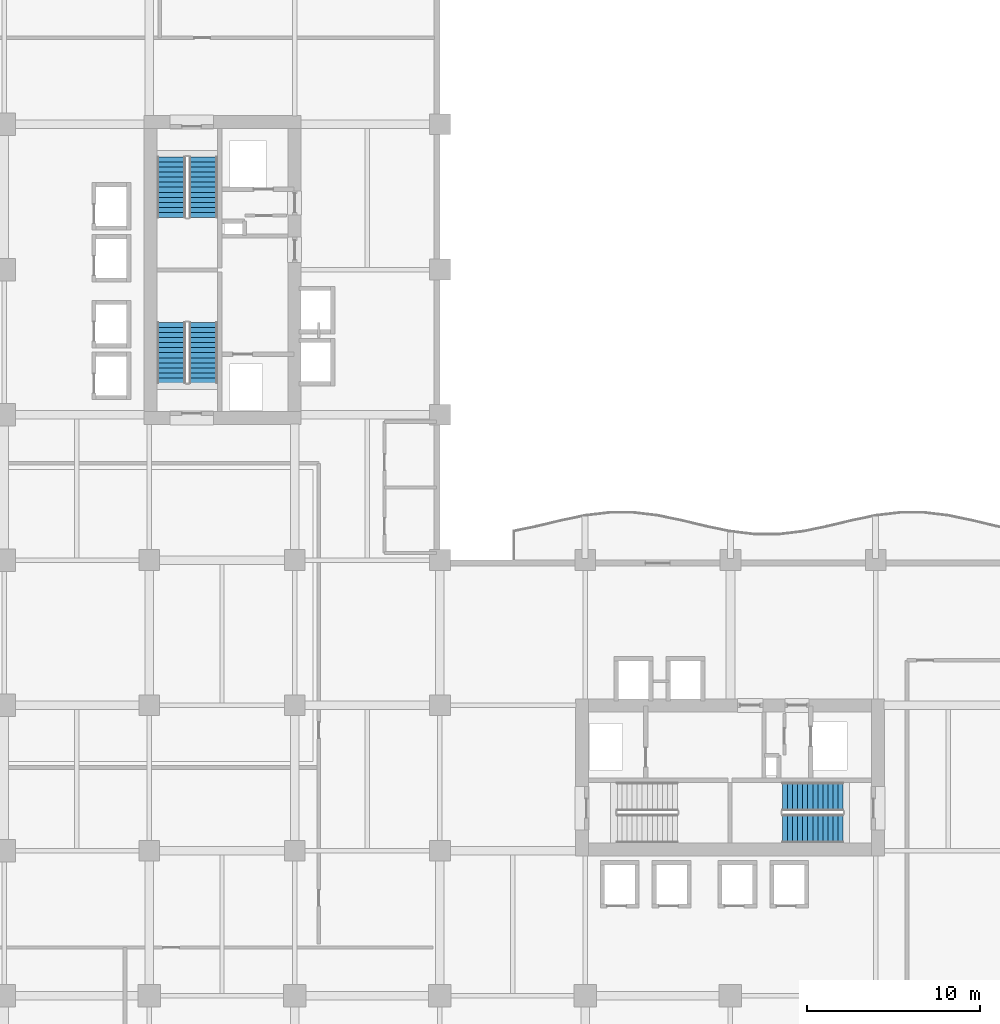
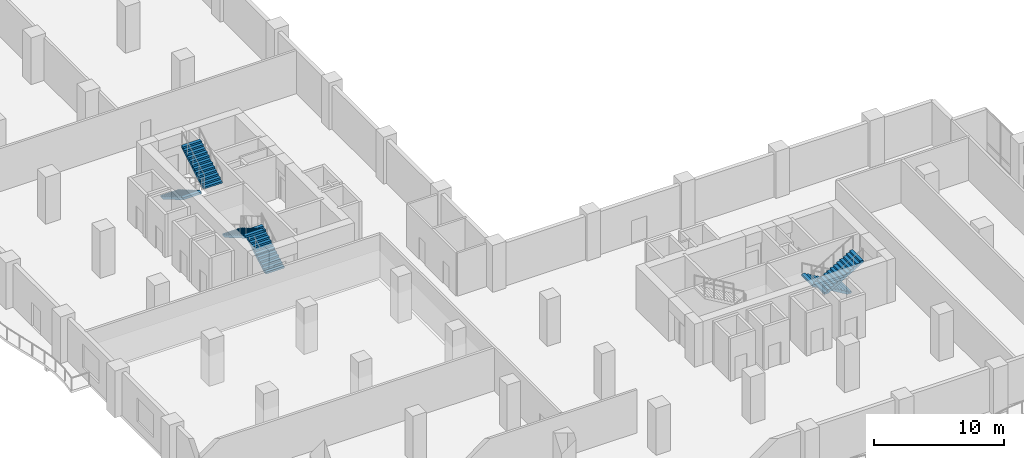
# One storey, part 19 of 24: 6 stair flights, 3 elements without a shape of their own.
"""IFC4 building model written with IfcOpenShell, lengths in metres."""

from ifc_helpers import new_model, si_unit, direction, frame, origin, place, context, subcontext, project, spatial, polyline, outline, extrude, material, type_object, element, aggregate, save


model = new_model("IFC4")

# Units and contexts
model_context = context("Model", 3, precision=1e-05, world=origin(), true_north=direction((0.0, 1.0)))
body_context = subcontext(model_context, "Body", "Model", "MODEL_VIEW")
ifc_project = project(units=[si_unit("LENGTHUNIT", "METRE"), si_unit("AREAUNIT", "SQUARE_METRE"), si_unit("VOLUMEUNIT", "CUBIC_METRE"), si_unit("PLANEANGLEUNIT", "RADIAN"), si_unit("MASSUNIT", "GRAM", prefix="KILO")], contexts=[model_context])

# Site, building, storey
site_placement = place(None, origin())
site = spatial("IfcSite", under=ifc_project, at=site_placement, CompositionType="ELEMENT")
building_placement = place(site_placement, origin())
building = spatial("IfcBuilding", under=site, at=building_placement, Name="Koriwani Terraces Tower", CompositionType="ELEMENT")
storey_placement = place(building_placement, frame((0.0, 0.0, 89.60009765625)))
storey = spatial("IfcBuildingStorey", under=building, at=storey_placement, Name="L21", CompositionType="ELEMENT", Elevation=89.60009765625)

# Stair, stair flights
ifc_material = material(Name="Concrete C40/50", Category="concrete")
stair_type = type_object("IfcStairType", Name="STAIR_CORE_DOGLEG_1650", PredefinedType="TWO_STRAIGHT_RUN_STAIR", material=ifc_material)
stair_1_placement = place(storey_placement, origin())
stair_1 = element("IfcStair", 1, at=stair_1_placement, inside=storey, type_object=stair_type, Name="L21 West Core Exit Stair 1", PredefinedType="HALF_TURN_STAIR")
stair_flight_type = type_object("IfcStairFlightType", Name="STAIR_FLIGHT_RC_1650", PredefinedType="STRAIGHT", material=ifc_material)
stair_flight_1_placement = place(storey_placement, frame((19.925048828125, 43.85009765625, 0.0), z_axis=(0.0, 0.0, 1.0), x_axis=(0.0, 1.0, 0.0)))
stair_flight_1 = element("IfcStairFlight", 2, at=stair_flight_1_placement, type_object=stair_flight_type, Name="ST-W1 flight 1", NumberOfRisers=13, NumberOfTreads=12, PredefinedType="STRAIGHT", RiserHeight=0.169230769, TreadLength=0.29, context=body_context, shape_type="SweptSolid", body=[
    extrude(outline(polyline([(0.0, 0.0), (0.0, 0.169189453125), (0.2900390625, 0.169189453125), (0.2900390625, 0.33837890625), (0.580078125, 0.33837890625), (0.580078125, 0.5078125), (0.8701171875, 0.5078125), (0.8701171875, 0.677001953125), (1.159912109375, 0.677001953125), (1.159912109375, 0.84619140625), (1.449951171875, 0.84619140625), (1.449951171875, 1.015380859375), (1.739990234375, 1.015380859375), (1.739990234375, 1.1845703125), (2.030029296875, 1.1845703125), (2.030029296875, 1.353759765625), (2.320068359375, 1.353759765625), (2.320068359375, 1.523193359375), (2.610107421875, 1.523193359375), (2.610107421875, 1.6923828125), (2.89990234375, 1.6923828125), (2.89990234375, 1.861572265625), (3.18994140625, 1.861572265625), (3.18994140625, 2.03076171875), (3.47998046875, 2.03076171875), (3.47998046875, 2.199951171875), (3.47998046875, 1.822509765625), (0.35693359375, 0.0), (0.0, 0.0)])), frame((0.0, 0.824951171875, 0.0), z_axis=(0.0, -1.0, 0.0), x_axis=(1.0, 0.0, 0.0)), (0.0, 0.0, 1.0), 1.64990234375),
])
stair_flight_2_placement = place(storey_placement, frame((18.074951171875, 47.330078125, 2.199951171875), z_axis=(0.0, 0.0, 1.0), x_axis=(0.0, -1.0, 0.0)))
stair_flight_2 = element("IfcStairFlight", 3, at=stair_flight_2_placement, type_object=stair_flight_type, Name="ST-W1 flight 2", NumberOfRisers=13, NumberOfTreads=12, PredefinedType="STRAIGHT", RiserHeight=0.169230769, TreadLength=0.29, context=body_context, shape_type="SweptSolid", body=[
    extrude(outline(polyline([(0.0, 0.0), (0.0, 0.169189453125), (0.2900390625, 0.169189453125), (0.2900390625, 0.33837890625), (0.580078125, 0.33837890625), (0.580078125, 0.5078125), (0.8701171875, 0.5078125), (0.8701171875, 0.677001953125), (1.159912109375, 0.677001953125), (1.159912109375, 0.84619140625), (1.449951171875, 0.84619140625), (1.449951171875, 1.015380859375), (1.739990234375, 1.015380859375), (1.739990234375, 1.1845703125), (2.030029296875, 1.1845703125), (2.030029296875, 1.353759765625), (2.320068359375, 1.353759765625), (2.320068359375, 1.523193359375), (2.610107421875, 1.523193359375), (2.610107421875, 1.6923828125), (2.89990234375, 1.6923828125), (2.89990234375, 1.861572265625), (3.18994140625, 1.861572265625), (3.18994140625, 2.03076171875), (3.47998046875, 2.03076171875), (3.47998046875, 2.199951171875), (3.47998046875, 1.822509765625), (0.35693359375, 0.0), (0.0, 0.0)])), frame((0.0, 0.824951171875, 0.0), z_axis=(0.0, -1.0, 0.0), x_axis=(1.0, 0.0, 0.0)), (0.0, 0.0, 1.0), 1.64990234375),
])
aggregate(stair_1, [stair_flight_1, stair_flight_2])

stair_2_placement = place(storey_placement, origin())
stair_2 = element("IfcStair", 4, at=stair_2_placement, inside=storey, type_object=stair_type, Name="L21 West Core Exit Stair 2", PredefinedType="HALF_TURN_STAIR")
stair_flight_3_placement = place(storey_placement, frame((18.074951171875, 56.89990234375, 0.0), z_axis=(0.0, 0.0, 1.0), x_axis=(0.0, -1.0, 0.0)))
stair_flight_3 = element("IfcStairFlight", 5, at=stair_flight_3_placement, type_object=stair_flight_type, Name="ST-W2 flight 1", NumberOfRisers=13, NumberOfTreads=12, PredefinedType="STRAIGHT", RiserHeight=0.169230769, TreadLength=0.29, context=body_context, shape_type="SweptSolid", body=[
    extrude(outline(polyline([(0.0, 0.0), (0.0, 0.169189453125), (0.2900390625, 0.169189453125), (0.2900390625, 0.33837890625), (0.580078125, 0.33837890625), (0.580078125, 0.5078125), (0.8701171875, 0.5078125), (0.8701171875, 0.677001953125), (1.159912109375, 0.677001953125), (1.159912109375, 0.84619140625), (1.449951171875, 0.84619140625), (1.449951171875, 1.015380859375), (1.739990234375, 1.015380859375), (1.739990234375, 1.1845703125), (2.030029296875, 1.1845703125), (2.030029296875, 1.353759765625), (2.320068359375, 1.353759765625), (2.320068359375, 1.523193359375), (2.610107421875, 1.523193359375), (2.610107421875, 1.6923828125), (2.89990234375, 1.6923828125), (2.89990234375, 1.861572265625), (3.18994140625, 1.861572265625), (3.18994140625, 2.03076171875), (3.47998046875, 2.03076171875), (3.47998046875, 2.199951171875), (3.47998046875, 1.822509765625), (0.35693359375, 0.0), (0.0, 0.0)])), frame((0.0, 0.824951171875, 0.0), z_axis=(0.0, -1.0, 0.0), x_axis=(1.0, 0.0, 0.0)), (0.0, 0.0, 1.0), 1.64990234375),
])
stair_flight_4_placement = place(storey_placement, frame((19.925048828125, 53.419921875, 2.199951171875), z_axis=(0.0, 0.0, 1.0), x_axis=(0.0, 1.0, 0.0)))
stair_flight_4 = element("IfcStairFlight", 6, at=stair_flight_4_placement, type_object=stair_flight_type, Name="ST-W2 flight 2", NumberOfRisers=13, NumberOfTreads=12, PredefinedType="STRAIGHT", RiserHeight=0.169230769, TreadLength=0.29, context=body_context, shape_type="SweptSolid", body=[
    extrude(outline(polyline([(0.0, 0.0), (0.0, 0.169189453125), (0.2900390625, 0.169189453125), (0.2900390625, 0.33837890625), (0.580078125, 0.33837890625), (0.580078125, 0.5078125), (0.8701171875, 0.5078125), (0.8701171875, 0.677001953125), (1.159912109375, 0.677001953125), (1.159912109375, 0.84619140625), (1.449951171875, 0.84619140625), (1.449951171875, 1.015380859375), (1.739990234375, 1.015380859375), (1.739990234375, 1.1845703125), (2.030029296875, 1.1845703125), (2.030029296875, 1.353759765625), (2.320068359375, 1.353759765625), (2.320068359375, 1.523193359375), (2.610107421875, 1.523193359375), (2.610107421875, 1.6923828125), (2.89990234375, 1.6923828125), (2.89990234375, 1.861572265625), (3.18994140625, 1.861572265625), (3.18994140625, 2.03076171875), (3.47998046875, 2.03076171875), (3.47998046875, 2.199951171875), (3.47998046875, 1.822509765625), (0.35693359375, 0.0), (0.0, 0.0)])), frame((0.0, 0.824951171875, 0.0), z_axis=(0.0, -1.0, 0.0), x_axis=(1.0, 0.0, 0.0)), (0.0, 0.0, 1.0), 1.64990234375),
])
aggregate(stair_2, [stair_flight_3, stair_flight_4])

stair_3_placement = place(storey_placement, origin())
stair_3 = element("IfcStair", 7, at=stair_3_placement, inside=storey, type_object=stair_type, Name="L21 East Core Exit Stair 2", PredefinedType="HALF_TURN_STAIR")
stair_flight_5_placement = place(storey_placement, frame((56.89990234375, 19.925048828125, 0.0), z_axis=(0.0, 0.0, 1.0), x_axis=(-1.0, 0.0, 0.0)))
stair_flight_5 = element("IfcStairFlight", 8, at=stair_flight_5_placement, type_object=stair_flight_type, Name="ST-E2 flight 1", NumberOfRisers=13, NumberOfTreads=12, PredefinedType="STRAIGHT", RiserHeight=0.169230769, TreadLength=0.29, context=body_context, shape_type="SweptSolid", body=[
    extrude(outline(polyline([(0.0, 0.0), (0.0, 0.169189453125), (0.2900390625, 0.169189453125), (0.2900390625, 0.33837890625), (0.580078125, 0.33837890625), (0.580078125, 0.5078125), (0.8701171875, 0.5078125), (0.8701171875, 0.677001953125), (1.159912109375, 0.677001953125), (1.159912109375, 0.84619140625), (1.449951171875, 0.84619140625), (1.449951171875, 1.015380859375), (1.739990234375, 1.015380859375), (1.739990234375, 1.1845703125), (2.030029296875, 1.1845703125), (2.030029296875, 1.353759765625), (2.320068359375, 1.353759765625), (2.320068359375, 1.523193359375), (2.610107421875, 1.523193359375), (2.610107421875, 1.6923828125), (2.89990234375, 1.6923828125), (2.89990234375, 1.861572265625), (3.18994140625, 1.861572265625), (3.18994140625, 2.03076171875), (3.47998046875, 2.03076171875), (3.47998046875, 2.199951171875), (3.47998046875, 1.822509765625), (0.35693359375, 0.0), (0.0, 0.0)])), frame((0.0, 0.824951171875, 0.0), z_axis=(0.0, -1.0, 0.0), x_axis=(1.0, 0.0, 0.0)), (0.0, 0.0, 1.0), 1.64990234375),
])
stair_flight_6_placement = place(storey_placement, frame((53.419921875, 18.074951171875, 2.199951171875), z_axis=(0.0, 0.0, 1.0), x_axis=(1.0, 0.0, 0.0)))
stair_flight_6 = element("IfcStairFlight", 9, at=stair_flight_6_placement, type_object=stair_flight_type, Name="ST-E2 flight 2", NumberOfRisers=13, NumberOfTreads=12, PredefinedType="STRAIGHT", RiserHeight=0.169230769, TreadLength=0.29, context=body_context, shape_type="SweptSolid", body=[
    extrude(outline(polyline([(0.0, 0.0), (0.0, 0.169189453125), (0.2900390625, 0.169189453125), (0.2900390625, 0.33837890625), (0.580078125, 0.33837890625), (0.580078125, 0.5078125), (0.8701171875, 0.5078125), (0.8701171875, 0.677001953125), (1.159912109375, 0.677001953125), (1.159912109375, 0.84619140625), (1.449951171875, 0.84619140625), (1.449951171875, 1.015380859375), (1.739990234375, 1.015380859375), (1.739990234375, 1.1845703125), (2.030029296875, 1.1845703125), (2.030029296875, 1.353759765625), (2.320068359375, 1.353759765625), (2.320068359375, 1.523193359375), (2.610107421875, 1.523193359375), (2.610107421875, 1.6923828125), (2.89990234375, 1.6923828125), (2.89990234375, 1.861572265625), (3.18994140625, 1.861572265625), (3.18994140625, 2.03076171875), (3.47998046875, 2.03076171875), (3.47998046875, 2.199951171875), (3.47998046875, 1.822509765625), (0.35693359375, 0.0), (0.0, 0.0)])), frame((0.0, 0.824951171875, 0.0), z_axis=(0.0, -1.0, 0.0), x_axis=(1.0, 0.0, 0.0)), (0.0, 0.0, 1.0), 1.64990234375),
])
aggregate(stair_3, [stair_flight_5, stair_flight_6])

save(model, "model.ifc")
